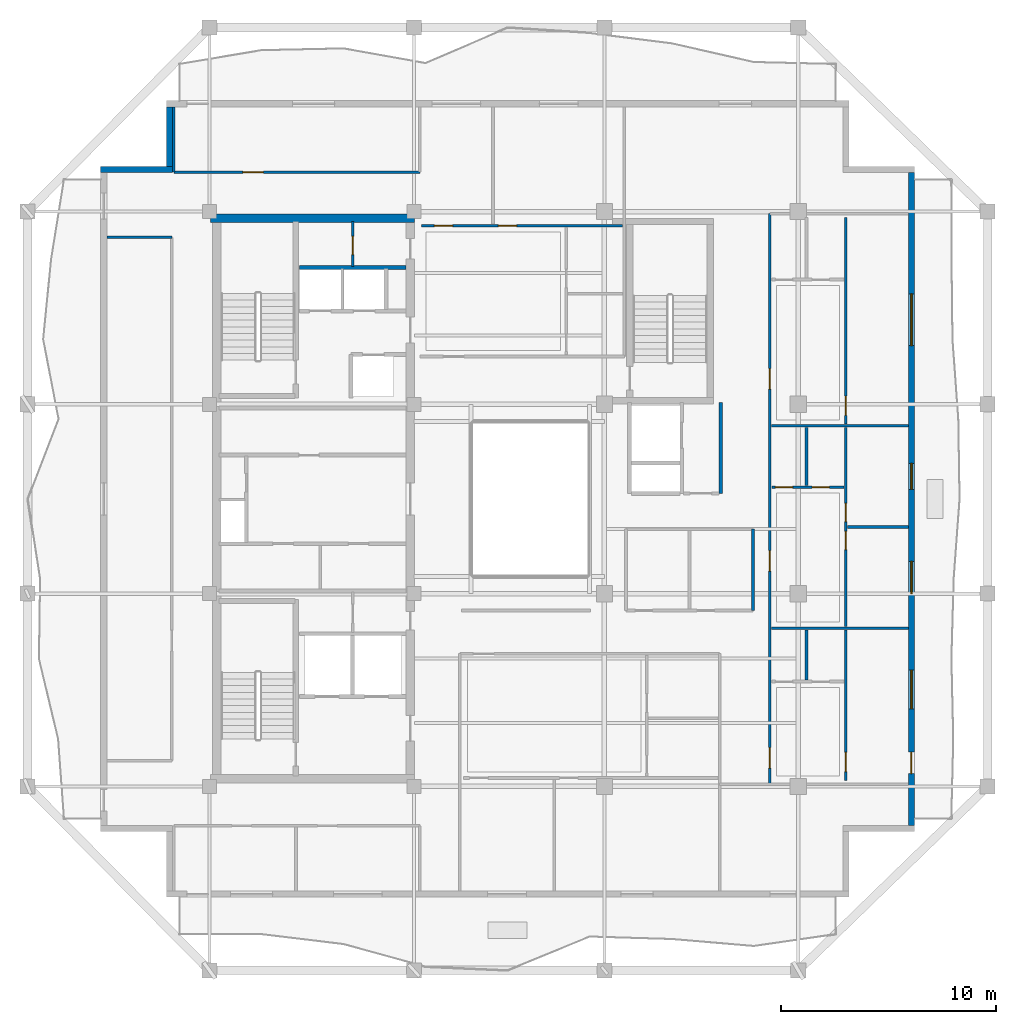
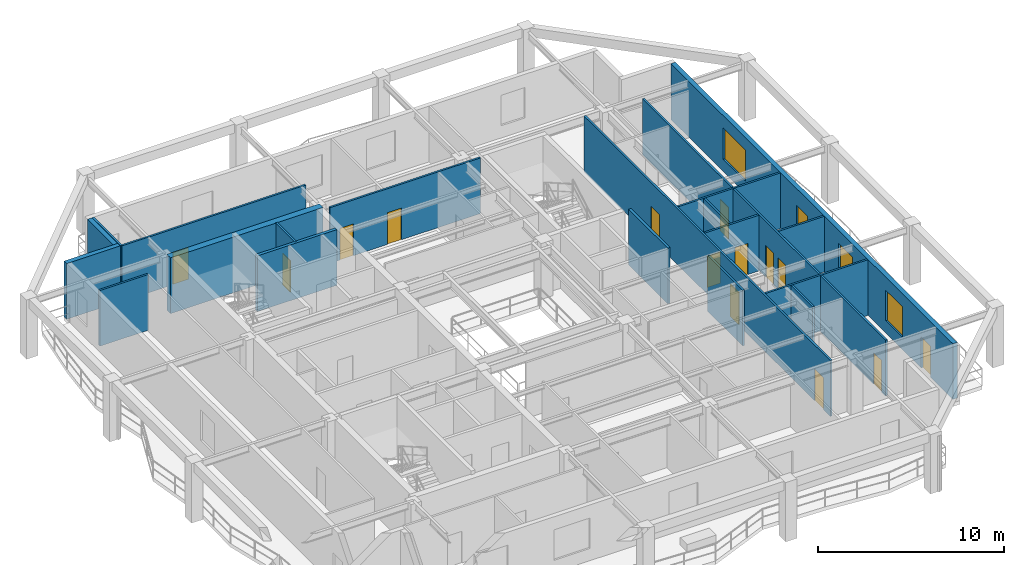
# One storey, part 5 of 10: 22 walls, 14 doors, 4 windows, 18 openings.
"""IFC4 building model written with IfcOpenShell, lengths in metres."""

from ifc_helpers import new_model, si_unit, direction, frame, frame_2d, origin, place, context, subcontext, project, spatial, rectangle, extrude, material, layer, layer_set, type_object, element, fill, save


model = new_model("IFC4")

# Units and contexts
model_context = context("Model", 3, precision=1e-05, world=origin(), true_north=direction((0.0, 1.0)))
body_context = subcontext(model_context, "Body", "Model", "MODEL_VIEW")
ifc_project = project(units=[si_unit("LENGTHUNIT", "METRE"), si_unit("AREAUNIT", "SQUARE_METRE"), si_unit("VOLUMEUNIT", "CUBIC_METRE"), si_unit("PLANEANGLEUNIT", "RADIAN"), si_unit("MASSUNIT", "GRAM", prefix="KILO")], contexts=[model_context])

# Site, building, storey
site_placement = place(None, origin())
site = spatial("IfcSite", under=ifc_project, at=site_placement, CompositionType="ELEMENT")
building_placement = place(site_placement, origin())
building = spatial("IfcBuilding", under=site, at=building_placement, Name="Kundavana Baori Tower", CompositionType="ELEMENT")
storey_placement = place(building_placement, frame((0.0, 0.0, 284.300048828125)))
storey = spatial("IfcBuildingStorey", under=building, at=storey_placement, Name="L70", CompositionType="ELEMENT", Elevation=284.300048828125)

# Wall
ifc_material_1 = material(Name="Concrete C50/60", Category="concrete")
ifc_layer_1 = layer(ifc_material_1, 0.39990234375, Name="WL-CORE-400")
ifc_layer_set_1 = layer_set([ifc_layer_1], Name="Concrete C50/60")
wall_type_1 = type_object("IfcWallType", Name="WL-CORE-400", PredefinedType="SHEAR", material=ifc_layer_set_1)
wall_1_placement = place(storey_placement, frame((15.5, 41.639892578125, 0.0), z_axis=(0.0, 0.0, 1.0), x_axis=(1.0, 0.0, 0.0)))
element("IfcWall", 1, at=wall_1_placement, inside=storey, type_object=wall_type_1, Name="L70 Offset Core North Shear Wall", PredefinedType="SHEAR", context=body_context, shape_type="SweptSolid", body=[
    extrude(rectangle(XDim=9.47998046875, YDim=0.39990234375, at=frame_2d((4.739990234375, 0.0))), origin(), (0.0, 0.0, 1.0), 3.659912109375),
])

# Wall, openings, door, windows
ifc_material_2 = material(Name="Red-Buff Dholpur Sandstone Cladding on Concrete C40/50", Category="masonry")
ifc_layer_2 = layer(ifc_material_2, 0.280029296875, Name="WL-EXT-SAND-280")
ifc_layer_set_2 = layer_set([ifc_layer_2], Name="Red-Buff Dholpur Sandstone Cladding on Concrete C40/50")
wall_type_2 = type_object("IfcWallType", Name="WL-EXT-SAND-280", PredefinedType="STANDARD", material=ifc_layer_set_2)
wall_2_placement = place(storey_placement, frame((48.06005859375, 13.429931640625, 0.0), z_axis=(0.0, 0.0, 1.0), x_axis=(0.0, 1.0, 0.0)))
wall_2 = element("IfcWall", 2, at=wall_2_placement, inside=storey, type_object=wall_type_2, Name="L70 Exterior Insulated Facade Wall 04", PredefinedType="STANDARD", context=body_context, shape_type="SweptSolid", body=[
    extrude(rectangle(XDim=30.340087890625, YDim=0.280029296875, at=frame_2d((15.169921875, 0.0))), origin(), (0.0, 0.0, 1.0), 3.659912109375),
])
opening_1_placement = place(wall_2_placement, frame((2.409912109375, 0.0, 0.0)))
opening_1 = element("IfcOpeningElement", 3, at=opening_1_placement, cuts=wall_2, Name="Opening BD-1", PredefinedType="OPENING", context=body_context, shape_type="SweptSolid", body=[
    extrude(rectangle(XDim=1.0, YDim=2.050048828125, at=frame_2d((0.5, 1.02490234375))), frame((0.0, 0.14990234375, 0.0), z_axis=(0.0, -1.0, 0.0), x_axis=(1.0, 0.0, 0.0)), (0.0, 0.0, 1.0), 0.300048828125),
])
opening_2_placement = place(wall_2_placement, frame((5.419921875, 0.0, 0.800048828125)))
opening_2 = element("IfcOpeningElement", 4, at=opening_2_placement, cuts=wall_2, Name="Opening W-01", PredefinedType="OPENING", context=body_context, shape_type="SweptSolid", body=[
    extrude(rectangle(XDim=1.800048828125, YDim=2.0, at=frame_2d((0.89990234375, 1.0))), frame((0.0, 0.14990234375, 0.0), z_axis=(0.0, -1.0, 0.0), x_axis=(1.0, 0.0, 0.0)), (0.0, 0.0, 1.0), 0.300048828125),
])
opening_3_placement = place(wall_2_placement, frame((10.77001953125, 0.0, 0.800048828125)))
opening_3 = element("IfcOpeningElement", 5, at=opening_3_placement, cuts=wall_2, Name="Opening W-02", PredefinedType="OPENING", context=body_context, shape_type="SweptSolid", body=[
    extrude(rectangle(XDim=1.5, YDim=2.0, at=frame_2d((0.75, 1.0))), frame((0.0, 0.14990234375, 0.0), z_axis=(0.0, -1.0, 0.0), x_axis=(1.0, 0.0, 0.0)), (0.0, 0.0, 1.0), 0.300048828125),
])
opening_4_placement = place(wall_2_placement, frame((15.6201171875, 0.0, 0.800048828125)))
opening_4 = element("IfcOpeningElement", 6, at=opening_4_placement, cuts=wall_2, Name="Opening W-03", PredefinedType="OPENING", context=body_context, shape_type="SweptSolid", body=[
    extrude(rectangle(XDim=1.199951171875, YDim=1.75, at=frame_2d((0.60009765625, 0.875))), frame((0.0, 0.14990234375, 0.0), z_axis=(0.0, -1.0, 0.0), x_axis=(1.0, 0.0, 0.0)), (0.0, 0.0, 1.0), 0.300048828125),
])
opening_5_placement = place(wall_2_placement, frame((22.294921875, 0.0, 0.800048828125)))
opening_5 = element("IfcOpeningElement", 7, at=opening_5_placement, cuts=wall_2, Name="Opening W-04", PredefinedType="OPENING", context=body_context, shape_type="SweptSolid", body=[
    extrude(rectangle(XDim=2.39990234375, YDim=2.050048828125, at=frame_2d((1.199951171875, 1.02490234375))), frame((0.0, 0.14990234375, 0.0), z_axis=(0.0, -1.0, 0.0), x_axis=(1.0, 0.0, 0.0)), (0.0, 0.0, 1.0), 0.300048828125),
])
ifc_material_3 = material(Name="Architectural Patinated Bronze Metalwork")
door_type_1 = type_object("IfcDoorType", Name="DR-EXT-LOG-1000", OperationType="NOTDEFINED", PredefinedType="DOOR", material=ifc_material_3)
door_1_placement = place(opening_1_placement, frame((1.0, 0.0, 0.0), z_axis=(0.0, 0.0, 1.0), x_axis=(-1.0, 0.0, 0.0)))
door_1 = element("IfcDoor", 8, at=door_1_placement, inside=storey, type_object=door_type_1, Name="L70 Loggia Balcony Access Door E", OperationType="SINGLE_SWING_RIGHT", OverallHeight=2.050048828125, OverallWidth=1.0, PredefinedType="DOOR", context=body_context, shape_type="SweptSolid", body=[
    extrude(rectangle(XDim=1.0, YDim=2.050048828125, at=frame_2d((0.5, 1.02490234375))), frame((0.0, 0.02490234375, 0.0), z_axis=(0.0, -1.0, 0.0), x_axis=(1.0, 0.0, 0.0)), (0.0, 0.0, 1.0), 0.050048828125),
])
fill(opening_1, door_1)
ifc_material_4 = material(Name="Double-Glazed Solar-Control Low-E Insulated Glass", Category="glass")
window_type_1 = type_object("IfcWindowType", Name="WIN-LOG-1200x1750", PartitioningType="SINGLE_PANEL", PredefinedType="WINDOW", material=ifc_material_4)
window_1_placement = place(opening_4_placement, origin())
window_1 = element("IfcWindow", 9, at=window_1_placement, inside=storey, type_object=window_type_1, Name="L70 Recessed Loggia Window E-3", OverallHeight=1.75, OverallWidth=1.199951171875, PartitioningType="SINGLE_PANEL", PredefinedType="WINDOW", context=body_context, shape_type="SweptSolid", body=[
    extrude(rectangle(XDim=1.199951171875, YDim=1.75, at=frame_2d((0.60009765625, 0.875))), frame((0.0, 0.030029296875, 0.0), z_axis=(0.0, -1.0, 0.0), x_axis=(1.0, 0.0, 0.0)), (0.0, 0.0, 1.0), 0.06005859375),
])
fill(opening_4, window_1)
ifc_material_5 = material(Name="Double-Glazed Solar-Control Low-E Insulated Glass", Category="glass")
window_type_2 = type_object("IfcWindowType", Name="WIN-LOG-1500x2000", PartitioningType="SINGLE_PANEL", PredefinedType="WINDOW", material=ifc_material_5)
window_2_placement = place(opening_3_placement, origin())
window_2 = element("IfcWindow", 10, at=window_2_placement, inside=storey, type_object=window_type_2, Name="L70 Recessed Loggia Window E-2", OverallHeight=2.0, OverallWidth=1.5, PartitioningType="SINGLE_PANEL", PredefinedType="WINDOW", context=body_context, shape_type="SweptSolid", body=[
    extrude(rectangle(XDim=1.5, YDim=2.0, at=frame_2d((0.75, 1.0))), frame((0.0, 0.030029296875, 0.0), z_axis=(0.0, -1.0, 0.0), x_axis=(1.0, 0.0, 0.0)), (0.0, 0.0, 1.0), 0.06005859375),
])
fill(opening_3, window_2)
ifc_material_6 = material(Name="Double-Glazed Solar-Control Low-E Insulated Glass", Category="glass")
window_type_3 = type_object("IfcWindowType", Name="WIN-LOG-1800x2000", PartitioningType="SINGLE_PANEL", PredefinedType="WINDOW", material=ifc_material_6)
window_3_placement = place(opening_2_placement, origin())
window_3 = element("IfcWindow", 11, at=window_3_placement, inside=storey, type_object=window_type_3, Name="L70 Recessed Loggia Window E-1", OverallHeight=2.0, OverallWidth=1.800048828125, PartitioningType="SINGLE_PANEL", PredefinedType="WINDOW", context=body_context, shape_type="SweptSolid", body=[
    extrude(rectangle(XDim=1.800048828125, YDim=2.0, at=frame_2d((0.89990234375, 1.0))), frame((0.0, 0.030029296875, 0.0), z_axis=(0.0, -1.0, 0.0), x_axis=(1.0, 0.0, 0.0)), (0.0, 0.0, 1.0), 0.06005859375),
])
fill(opening_2, window_3)
ifc_material_7 = material(Name="Double-Glazed Solar-Control Low-E Insulated Glass", Category="glass")
window_type_4 = type_object("IfcWindowType", Name="WIN-LOG-2400x2050", PartitioningType="SINGLE_PANEL", PredefinedType="WINDOW", material=ifc_material_7)
window_4_placement = place(opening_5_placement, origin())
window_4 = element("IfcWindow", 12, at=window_4_placement, inside=storey, type_object=window_type_4, Name="L70 Recessed Loggia Window E-4", OverallHeight=2.050048828125, OverallWidth=2.39990234375, PartitioningType="SINGLE_PANEL", PredefinedType="WINDOW", context=body_context, shape_type="SweptSolid", body=[
    extrude(rectangle(XDim=2.39990234375, YDim=2.050048828125, at=frame_2d((1.199951171875, 1.02490234375))), frame((0.0, 0.030029296875, 0.0), z_axis=(0.0, -1.0, 0.0), x_axis=(1.0, 0.0, 0.0)), (0.0, 0.0, 1.0), 0.06005859375),
])
fill(opening_5, window_4)

# Walls
wall_3_placement = place(storey_placement, frame((13.590087890625, 46.820068359375, 0.0), z_axis=(0.0, 0.0, 1.0), x_axis=(0.0, -1.0, 0.0)))
element("IfcWall", 13, at=wall_3_placement, inside=storey, type_object=wall_type_2, Name="L70 Exterior Insulated Facade Wall 08", PredefinedType="STANDARD", context=body_context, shape_type="SweptSolid", body=[
    extrude(rectangle(XDim=2.77001953125, YDim=0.280029296875, at=frame_2d((1.385009765625, 0.0))), origin(), (0.0, 0.0, 1.0), 3.659912109375),
])
wall_4_placement = place(storey_placement, frame((13.72998046875, 43.909912109375, 0.0), z_axis=(0.0, 0.0, 1.0), x_axis=(-1.0, 0.0, 0.0)))
element("IfcWall", 14, at=wall_4_placement, inside=storey, type_object=wall_type_2, Name="L70 Exterior Insulated Facade Wall 09", PredefinedType="STANDARD", context=body_context, shape_type="SweptSolid", body=[
    extrude(rectangle(XDim=3.330078125, YDim=0.280029296875, at=frame_2d((1.6650390625, 0.0))), origin(), (0.0, 0.0, 1.0), 3.659912109375),
])

# Wall, opening, door
ifc_material_8 = material(Name="Acoustic Gypsum Plasterboard on Galvanised Steel Studs", Category="steel")
ifc_layer_3 = layer(ifc_material_8, 0.1201171875, Name="WL-PART-120")
ifc_layer_set_3 = layer_set([ifc_layer_3], Name="Acoustic Gypsum Plasterboard on Galvanised Steel Studs")
wall_type_3 = type_object("IfcWallType", Name="WL-PART-120", PredefinedType="PARTITIONING", material=ifc_layer_set_3)
wall_5_placement = place(storey_placement, frame((22.10009765625, 39.39990234375, 0.0), z_axis=(0.0, 0.0, 1.0), x_axis=(0.0, 1.0, 0.0)))
wall_5 = element("IfcWall", 15, at=wall_5_placement, inside=storey, type_object=wall_type_3, Name="WL-L70-CSRV-D1", PredefinedType="PARTITIONING", context=body_context, shape_type="SweptSolid", body=[
    extrude(rectangle(XDim=2.080078125, YDim=0.1201171875, at=frame_2d((1.0400390625, 0.0))), origin(), (0.0, 0.0, 1.0), 3.659912109375),
])
opening_6_placement = place(wall_5_placement, frame((0.550048828125, 0.0, 0.0)))
opening_6 = element("IfcOpeningElement", 16, at=opening_6_placement, cuts=wall_5, Name="Opening FD-085", PredefinedType="OPENING", context=body_context, shape_type="SweptSolid", body=[
    extrude(rectangle(XDim=0.85009765625, YDim=2.06005859375, at=frame_2d((0.425048828125, 1.030029296875))), frame((0.0, 0.070068359375, 0.0), z_axis=(0.0, -1.0, 0.0), x_axis=(1.0, 0.0, 0.0)), (0.0, 0.0, 1.0), 0.14013671875),
])
ifc_material_9 = material(Name="Galvanised Steel Fire-Rated Door Leaf", Category="steel")
door_type_2 = type_object("IfcDoorType", Name="DR-FD60-850", OperationType="NOTDEFINED", PredefinedType="DOOR", material=ifc_material_9)
door_2_placement = place(opening_6_placement, origin())
door_2 = element("IfcDoor", 17, at=door_2_placement, inside=storey, type_object=door_type_2, Name="DR-L70-CSRV1", OperationType="SINGLE_SWING_LEFT", OverallHeight=2.06005859375, OverallWidth=0.85009765625, PredefinedType="DOOR", context=body_context, shape_type="SweptSolid", body=[
    extrude(rectangle(XDim=0.85009765625, YDim=2.06005859375, at=frame_2d((0.425048828125, 1.030029296875))), frame((0.0, 0.02490234375, 0.0), z_axis=(0.0, -1.0, 0.0), x_axis=(1.0, 0.0, 0.0)), (0.0, 0.0, 1.0), 0.050048828125),
])
fill(opening_6, door_2)

wall_6_placement = place(storey_placement, frame((13.800048828125, 43.780029296875, 0.0), z_axis=(0.0, 0.0, 1.0), x_axis=(1.0, 0.0, 0.0)))
wall_6 = element("IfcWall", 18, at=wall_6_placement, inside=storey, type_object=wall_type_3, Name="WL-L70-RNC", PredefinedType="PARTITIONING", context=body_context, shape_type="SweptSolid", body=[
    extrude(rectangle(XDim=11.419921875, YDim=0.1201171875, at=frame_2d((5.7099609375, 0.0))), origin(), (0.0, 0.0, 1.0), 3.659912109375),
])
opening_7_placement = place(wall_6_placement, frame((3.199951171875, 0.0, 0.0)))
opening_7 = element("IfcOpeningElement", 19, at=opening_7_placement, cuts=wall_6, Name="Opening ID-095", PredefinedType="OPENING", context=body_context, shape_type="SweptSolid", body=[
    extrude(rectangle(XDim=0.949951171875, YDim=2.080078125, at=frame_2d((0.47509765625, 1.0400390625))), frame((0.0, 0.070068359375, 0.0), z_axis=(0.0, -1.0, 0.0), x_axis=(1.0, 0.0, 0.0)), (0.0, 0.0, 1.0), 0.14013671875),
])
ifc_material_10 = material(Name="Engineered Teak Solid-Core Timber Veneer", Category="wood")
door_type_3 = type_object("IfcDoorType", Name="DR-INT-950", OperationType="NOTDEFINED", PredefinedType="DOOR", material=ifc_material_10)
door_3_placement = place(opening_7_placement, origin())
door_3 = element("IfcDoor", 20, at=door_3_placement, inside=storey, type_object=door_type_3, Name="DR-L70-RMNW", OperationType="SINGLE_SWING_RIGHT", OverallHeight=2.080078125, OverallWidth=0.949951171875, PredefinedType="DOOR", context=body_context, shape_type="SweptSolid", body=[
    extrude(rectangle(XDim=0.949951171875, YDim=2.080078125, at=frame_2d((0.47509765625, 1.0400390625))), frame((0.0, 0.02490234375, 0.0), z_axis=(0.0, -1.0, 0.0), x_axis=(1.0, 0.0, 0.0)), (0.0, 0.0, 1.0), 0.050048828125),
])
fill(opening_7, door_3)

# Walls
wall_7_placement = place(storey_placement, frame((13.800048828125, 43.780029296875, 0.0), z_axis=(0.0, 0.0, 1.0), x_axis=(0.0, 1.0, 0.0)))
element("IfcWall", 21, at=wall_7_placement, inside=storey, type_object=wall_type_3, Name="WL-L70-RNCW", PredefinedType="PARTITIONING", context=body_context, shape_type="SweptSolid", body=[
    extrude(rectangle(XDim=3.0400390625, YDim=0.1201171875, at=frame_2d((1.52001953125, 0.0))), origin(), (0.0, 0.0, 1.0), 3.659912109375),
])
wall_8_placement = place(storey_placement, frame((10.679931640625, 40.75, 0.0), z_axis=(0.0, 0.0, 1.0), x_axis=(1.0, 0.0, 0.0)))
element("IfcWall", 22, at=wall_8_placement, inside=storey, type_object=wall_type_3, Name="WL-L70-RWN", PredefinedType="PARTITIONING", context=body_context, shape_type="SweptSolid", body=[
    extrude(rectangle(XDim=3.02001953125, YDim=0.1201171875, at=frame_2d((1.510009765625, 0.0))), origin(), (0.0, 0.0, 1.0), 3.659912109375),
])

# Wall, openings, doors
wall_9_placement = place(storey_placement, frame((25.300048828125, 41.2900390625, 0.0), z_axis=(0.0, 0.0, 1.0), x_axis=(1.0, 0.0, 0.0)))
wall_9 = element("IfcWall", 23, at=wall_9_placement, inside=storey, type_object=wall_type_3, Name="WL-L70-N1-HZ", PredefinedType="PARTITIONING", context=body_context, shape_type="SweptSolid", body=[
    extrude(rectangle(XDim=9.33984375, YDim=0.1201171875, at=frame_2d((4.669921875, 0.0))), origin(), (0.0, 0.0, 1.0), 3.659912109375),
])
opening_8_placement = place(wall_9_placement, frame((0.60009765625, 0.0, 0.0)))
opening_8 = element("IfcOpeningElement", 24, at=opening_8_placement, cuts=wall_9, Name="Opening ID-085", PredefinedType="OPENING", context=body_context, shape_type="SweptSolid", body=[
    extrude(rectangle(XDim=0.85009765625, YDim=2.080078125, at=frame_2d((0.425048828125, 1.0400390625))), frame((0.0, 0.070068359375, 0.0), z_axis=(0.0, -1.0, 0.0), x_axis=(1.0, 0.0, 0.0)), (0.0, 0.0, 1.0), 0.14013671875),
])
opening_9_placement = place(wall_9_placement, frame((3.572998046875, 0.0, 0.0)))
opening_9 = element("IfcOpeningElement", 25, at=opening_9_placement, cuts=wall_9, Name="Opening ID-085", PredefinedType="OPENING", context=body_context, shape_type="SweptSolid", body=[
    extrude(rectangle(XDim=0.85009765625, YDim=2.080078125, at=frame_2d((0.425048828125, 1.0400390625))), frame((0.0, 0.070068359375, 0.0), z_axis=(0.0, -1.0, 0.0), x_axis=(1.0, 0.0, 0.0)), (0.0, 0.0, 1.0), 0.14013671875),
])
ifc_material_11 = material(Name="Engineered Teak Solid-Core Timber Veneer", Category="wood")
door_type_4 = type_object("IfcDoorType", Name="DR-INT-850", OperationType="NOTDEFINED", PredefinedType="DOOR", material=ifc_material_11)
door_4_placement = place(opening_8_placement, origin())
door_4 = element("IfcDoor", 26, at=door_4_placement, inside=storey, type_object=door_type_4, Name="DR-L70-N1-B1", OperationType="SINGLE_SWING_LEFT", OverallHeight=2.080078125, OverallWidth=0.85009765625, PredefinedType="DOOR", context=body_context, shape_type="SweptSolid", body=[
    extrude(rectangle(XDim=0.85009765625, YDim=2.080078125, at=frame_2d((0.425048828125, 1.0400390625))), frame((0.0, 0.02490234375, 0.0), z_axis=(0.0, -1.0, 0.0), x_axis=(1.0, 0.0, 0.0)), (0.0, 0.0, 1.0), 0.050048828125),
])
fill(opening_8, door_4)
door_5_placement = place(opening_9_placement, origin())
door_5 = element("IfcDoor", 27, at=door_5_placement, inside=storey, type_object=door_type_4, Name="DR-L70-N1-B2", OperationType="SINGLE_SWING_RIGHT", OverallHeight=2.080078125, OverallWidth=0.85009765625, PredefinedType="DOOR", context=body_context, shape_type="SweptSolid", body=[
    extrude(rectangle(XDim=0.85009765625, YDim=2.080078125, at=frame_2d((0.425048828125, 1.0400390625))), frame((0.0, 0.02490234375, 0.0), z_axis=(0.0, -1.0, 0.0), x_axis=(1.0, 0.0, 0.0)), (0.0, 0.0, 1.0), 0.050048828125),
])
fill(opening_9, door_5)

wall_10_placement = place(storey_placement, frame((41.47998046875, 15.35009765625, 0.0), z_axis=(0.0, 0.0, 1.0), x_axis=(0.0, 1.0, 0.0)))
wall_10 = element("IfcWall", 28, at=wall_10_placement, inside=storey, type_object=wall_type_3, Name="WL-L70-RE", PredefinedType="PARTITIONING", context=body_context, shape_type="SweptSolid", body=[
    extrude(rectangle(XDim=26.5, YDim=0.1201171875, at=frame_2d((13.25, 0.0))), origin(), (0.0, 0.0, 1.0), 3.659912109375),
])
opening_10_placement = place(wall_10_placement, frame((0.75, 0.0, 0.0)))
opening_10 = element("IfcOpeningElement", 29, at=opening_10_placement, cuts=wall_10, Name="Opening FD-095", PredefinedType="OPENING", context=body_context, shape_type="SweptSolid", body=[
    extrude(rectangle(XDim=0.949951171875, YDim=2.10009765625, at=frame_2d((0.47509765625, 1.050048828125))), frame((0.0, 0.070068359375, 0.0), z_axis=(0.0, -1.0, 0.0), x_axis=(1.0, 0.0, 0.0)), (0.0, 0.0, 1.0), 0.14013671875),
])
opening_11_placement = place(wall_10_placement, frame((9.89990234375, 0.0, 0.0)))
opening_11 = element("IfcOpeningElement", 30, at=opening_11_placement, cuts=wall_10, Name="Opening FD-095", PredefinedType="OPENING", context=body_context, shape_type="SweptSolid", body=[
    extrude(rectangle(XDim=0.949951171875, YDim=2.10009765625, at=frame_2d((0.47509765625, 1.050048828125))), frame((0.0, 0.070068359375, 0.0), z_axis=(0.0, -1.0, 0.0), x_axis=(1.0, 0.0, 0.0)), (0.0, 0.0, 1.0), 0.14013671875),
])
opening_12_placement = place(wall_10_placement, frame((18.35009765625, 0.0, 0.0)))
opening_12 = element("IfcOpeningElement", 31, at=opening_12_placement, cuts=wall_10, Name="Opening FD-095", PredefinedType="OPENING", context=body_context, shape_type="SweptSolid", body=[
    extrude(rectangle(XDim=0.949951171875, YDim=2.10009765625, at=frame_2d((0.47509765625, 1.050048828125))), frame((0.0, 0.070068359375, 0.0), z_axis=(0.0, -1.0, 0.0), x_axis=(1.0, 0.0, 0.0)), (0.0, 0.0, 1.0), 0.14013671875),
])
ifc_material_12 = material(Name="Engineered Teak Fire-Rated Timber Door Leaf", Category="wood")
door_type_5 = type_object("IfcDoorType", Name="DR-FD60-950", OperationType="NOTDEFINED", PredefinedType="DOOR", material=ifc_material_12)
door_6_placement = place(opening_10_placement, origin())
door_6 = element("IfcDoor", 32, at=door_6_placement, inside=storey, type_object=door_type_5, Name="DR-L70-E1-ENT", OperationType="SINGLE_SWING_LEFT", OverallHeight=2.10009765625, OverallWidth=0.949951171875, PredefinedType="DOOR", context=body_context, shape_type="SweptSolid", body=[
    extrude(rectangle(XDim=0.949951171875, YDim=2.10009765625, at=frame_2d((0.47509765625, 1.050048828125))), frame((0.0, 0.02490234375, 0.0), z_axis=(0.0, -1.0, 0.0), x_axis=(1.0, 0.0, 0.0)), (0.0, 0.0, 1.0), 0.050048828125),
])
fill(opening_10, door_6)
door_7_placement = place(opening_11_placement, origin())
door_7 = element("IfcDoor", 33, at=door_7_placement, inside=storey, type_object=door_type_5, Name="DR-L70-E2-ENT", OperationType="SINGLE_SWING_LEFT", OverallHeight=2.10009765625, OverallWidth=0.949951171875, PredefinedType="DOOR", context=body_context, shape_type="SweptSolid", body=[
    extrude(rectangle(XDim=0.949951171875, YDim=2.10009765625, at=frame_2d((0.47509765625, 1.050048828125))), frame((0.0, 0.02490234375, 0.0), z_axis=(0.0, -1.0, 0.0), x_axis=(1.0, 0.0, 0.0)), (0.0, 0.0, 1.0), 0.050048828125),
])
fill(opening_11, door_7)
door_8_placement = place(opening_12_placement, origin())
door_8 = element("IfcDoor", 34, at=door_8_placement, inside=storey, type_object=door_type_5, Name="DR-L70-E3-ENT", OperationType="SINGLE_SWING_LEFT", OverallHeight=2.10009765625, OverallWidth=0.949951171875, PredefinedType="DOOR", context=body_context, shape_type="SweptSolid", body=[
    extrude(rectangle(XDim=0.949951171875, YDim=2.10009765625, at=frame_2d((0.47509765625, 1.050048828125))), frame((0.0, 0.02490234375, 0.0), z_axis=(0.0, -1.0, 0.0), x_axis=(1.0, 0.0, 0.0)), (0.0, 0.0, 1.0), 0.050048828125),
])
fill(opening_12, door_8)

# Wall, opening, door
wall_11_placement = place(storey_placement, frame((45.00390625, 15.530029296875, 0.0), z_axis=(0.0, 0.0, 1.0), x_axis=(0.0, 1.0, 0.0)))
wall_11 = element("IfcWall", 35, at=wall_11_placement, inside=storey, type_object=wall_type_3, Name="WL-L70-E1-VT", PredefinedType="PARTITIONING", context=body_context, shape_type="SweptSolid", body=[
    extrude(rectangle(XDim=6.989990234375, YDim=0.1201171875, at=frame_2d((3.4951171875, 0.0))), origin(), (0.0, 0.0, 1.0), 3.659912109375),
])
opening_13_placement = place(wall_11_placement, frame((0.39990234375, 0.0, 0.0)))
opening_13 = element("IfcOpeningElement", 36, at=opening_13_placement, cuts=wall_11, Name="Opening ID-090", PredefinedType="OPENING", context=body_context, shape_type="SweptSolid", body=[
    extrude(rectangle(XDim=0.89990234375, YDim=2.080078125, at=frame_2d((0.449951171875, 1.0400390625))), frame((0.0, 0.070068359375, 0.0), z_axis=(0.0, -1.0, 0.0), x_axis=(1.0, 0.0, 0.0)), (0.0, 0.0, 1.0), 0.14013671875),
])
ifc_material_13 = material(Name="Engineered Teak Solid-Core Timber Veneer", Category="wood")
door_type_6 = type_object("IfcDoorType", Name="DR-INT-900", OperationType="NOTDEFINED", PredefinedType="DOOR", material=ifc_material_13)
door_9_placement = place(opening_13_placement, origin())
door_9 = element("IfcDoor", 37, at=door_9_placement, inside=storey, type_object=door_type_6, Name="DR-L70-E1-B1", OperationType="SINGLE_SWING_LEFT", OverallHeight=2.080078125, OverallWidth=0.89990234375, PredefinedType="DOOR", context=body_context, shape_type="SweptSolid", body=[
    extrude(rectangle(XDim=0.89990234375, YDim=2.080078125, at=frame_2d((0.449951171875, 1.0400390625))), frame((0.0, 0.02490234375, 0.0), z_axis=(0.0, -1.0, 0.0), x_axis=(1.0, 0.0, 0.0)), (0.0, 0.0, 1.0), 0.050048828125),
])
fill(opening_13, door_9)

# Wall
wall_12_placement = place(storey_placement, frame((41.56005859375, 22.60009765625, 0.0), z_axis=(0.0, 0.0, 1.0), x_axis=(1.0, 0.0, 0.0)))
element("IfcWall", 38, at=wall_12_placement, inside=storey, type_object=wall_type_3, Name="WL-L70-RED1", PredefinedType="PARTITIONING", context=body_context, shape_type="SweptSolid", body=[
    extrude(rectangle(XDim=6.35986328125, YDim=0.1201171875, at=frame_2d((3.179931640625, 0.0))), origin(), (0.0, 0.0, 1.0), 3.659912109375),
])

# Wall, openings, doors
wall_13_placement = place(storey_placement, frame((45.00390625, 22.679931640625, 0.0), z_axis=(0.0, 0.0, 1.0), x_axis=(0.0, 1.0, 0.0)))
wall_13 = element("IfcWall", 39, at=wall_13_placement, inside=storey, type_object=wall_type_3, Name="WL-L70-E2-VT", PredefinedType="PARTITIONING", context=body_context, shape_type="SweptSolid", body=[
    extrude(rectangle(XDim=9.239990234375, YDim=0.1201171875, at=frame_2d((4.6201171875, 0.0))), origin(), (0.0, 0.0, 1.0), 3.659912109375),
])
opening_14_placement = place(wall_13_placement, frame((3.570068359375, 0.0, 0.0)))
opening_14 = element("IfcOpeningElement", 40, at=opening_14_placement, cuts=wall_13, Name="Opening ID-085", PredefinedType="OPENING", context=body_context, shape_type="SweptSolid", body=[
    extrude(rectangle(XDim=0.85009765625, YDim=2.080078125, at=frame_2d((0.425048828125, 1.0400390625))), frame((0.0, 0.070068359375, 0.0), z_axis=(0.0, -1.0, 0.0), x_axis=(1.0, 0.0, 0.0)), (0.0, 0.0, 1.0), 0.14013671875),
])
opening_15_placement = place(wall_13_placement, frame((4.8701171875, 0.0, 0.0)))
opening_15 = element("IfcOpeningElement", 41, at=opening_15_placement, cuts=wall_13, Name="Opening ID-085", PredefinedType="OPENING", context=body_context, shape_type="SweptSolid", body=[
    extrude(rectangle(XDim=0.85009765625, YDim=2.080078125, at=frame_2d((0.425048828125, 1.0400390625))), frame((0.0, 0.070068359375, 0.0), z_axis=(0.0, -1.0, 0.0), x_axis=(1.0, 0.0, 0.0)), (0.0, 0.0, 1.0), 0.14013671875),
])
door_10_placement = place(opening_14_placement, origin())
door_10 = element("IfcDoor", 42, at=door_10_placement, inside=storey, type_object=door_type_4, Name="DR-L70-E2-B1", OperationType="SINGLE_SWING_LEFT", OverallHeight=2.080078125, OverallWidth=0.85009765625, PredefinedType="DOOR", context=body_context, shape_type="SweptSolid", body=[
    extrude(rectangle(XDim=0.85009765625, YDim=2.080078125, at=frame_2d((0.425048828125, 1.0400390625))), frame((0.0, 0.02490234375, 0.0), z_axis=(0.0, -1.0, 0.0), x_axis=(1.0, 0.0, 0.0)), (0.0, 0.0, 1.0), 0.050048828125),
])
fill(opening_14, door_10)
door_11_placement = place(opening_15_placement, origin())
door_11 = element("IfcDoor", 43, at=door_11_placement, inside=storey, type_object=door_type_4, Name="DR-L70-E2-B2", OperationType="SINGLE_SWING_RIGHT", OverallHeight=2.080078125, OverallWidth=0.85009765625, PredefinedType="DOOR", context=body_context, shape_type="SweptSolid", body=[
    extrude(rectangle(XDim=0.85009765625, YDim=2.080078125, at=frame_2d((0.425048828125, 1.0400390625))), frame((0.0, 0.02490234375, 0.0), z_axis=(0.0, -1.0, 0.0), x_axis=(1.0, 0.0, 0.0)), (0.0, 0.0, 1.0), 0.050048828125),
])
fill(opening_15, door_11)

# Walls
wall_14_placement = place(storey_placement, frame((45.083984375, 27.300048828125, 0.0), z_axis=(0.0, 0.0, 1.0), x_axis=(1.0, 0.0, 0.0)))
element("IfcWall", 44, at=wall_14_placement, inside=storey, type_object=wall_type_3, Name="WL-L70-E2-BDH", PredefinedType="PARTITIONING", context=body_context, shape_type="SweptSolid", body=[
    extrude(rectangle(XDim=2.8359375, YDim=0.1201171875, at=frame_2d((1.41796875, 0.0))), origin(), (0.0, 0.0, 1.0), 3.659912109375),
])
wall_15_placement = place(storey_placement, frame((41.56005859375, 32.0, 0.0), z_axis=(0.0, 0.0, 1.0), x_axis=(1.0, 0.0, 0.0)))
element("IfcWall", 45, at=wall_15_placement, inside=storey, type_object=wall_type_3, Name="WL-L70-RED2", PredefinedType="PARTITIONING", context=body_context, shape_type="SweptSolid", body=[
    extrude(rectangle(XDim=6.35986328125, YDim=0.1201171875, at=frame_2d((3.179931640625, 0.0))), origin(), (0.0, 0.0, 1.0), 3.659912109375),
])

# Wall, opening, door
wall_16_placement = place(storey_placement, frame((45.00390625, 32.080078125, 0.0), z_axis=(0.0, 0.0, 1.0), x_axis=(0.0, 1.0, 0.0)))
wall_16 = element("IfcWall", 46, at=wall_16_placement, inside=storey, type_object=wall_type_3, Name="WL-L70-E3-VT", PredefinedType="PARTITIONING", context=body_context, shape_type="SweptSolid", body=[
    extrude(rectangle(XDim=9.58984375, YDim=0.1201171875, at=frame_2d((4.794921875, 0.0))), origin(), (0.0, 0.0, 1.0), 3.659912109375),
])
opening_16_placement = place(wall_16_placement, frame((0.39990234375, 0.0, 0.0)))
opening_16 = element("IfcOpeningElement", 47, at=opening_16_placement, cuts=wall_16, Name="Opening ID-090", PredefinedType="OPENING", context=body_context, shape_type="SweptSolid", body=[
    extrude(rectangle(XDim=0.89990234375, YDim=2.080078125, at=frame_2d((0.449951171875, 1.0400390625))), frame((0.0, 0.070068359375, 0.0), z_axis=(0.0, -1.0, 0.0), x_axis=(1.0, 0.0, 0.0)), (0.0, 0.0, 1.0), 0.14013671875),
])
door_12_placement = place(opening_16_placement, origin())
door_12 = element("IfcDoor", 48, at=door_12_placement, inside=storey, type_object=door_type_6, Name="DR-L70-E3-B1", OperationType="SINGLE_SWING_LEFT", OverallHeight=2.080078125, OverallWidth=0.89990234375, PredefinedType="DOOR", context=body_context, shape_type="SweptSolid", body=[
    extrude(rectangle(XDim=0.89990234375, YDim=2.080078125, at=frame_2d((0.449951171875, 1.0400390625))), frame((0.0, 0.02490234375, 0.0), z_axis=(0.0, -1.0, 0.0), x_axis=(1.0, 0.0, 0.0)), (0.0, 0.0, 1.0), 0.050048828125),
])
fill(opening_16, door_12)

# Walls
wall_17_placement = place(storey_placement, frame((40.699951171875, 23.419921875, 0.0), z_axis=(0.0, 0.0, 1.0), x_axis=(0.0, 1.0, 0.0)))
element("IfcWall", 49, at=wall_17_placement, inside=storey, type_object=wall_type_3, Name="WL-L70-ALE", PredefinedType="PARTITIONING", context=body_context, shape_type="SweptSolid", body=[
    extrude(rectangle(XDim=3.780029296875, YDim=0.1201171875, at=frame_2d((1.89013671875, 0.0))), origin(), (0.0, 0.0, 1.0), 3.659912109375),
])
ifc_material_14 = material(Name="Fire-Rated Gypsum Drywall on Galvanised Steel Studs", Category="steel")
ifc_layer_4 = layer(ifc_material_14, 0.14990234375, Name="WL-PART-150")
ifc_layer_set_4 = layer_set([ifc_layer_4], Name="Fire-Rated Gypsum Drywall on Galvanised Steel Studs")
wall_type_4 = type_object("IfcWallType", Name="WL-PART-150", PredefinedType="PARTITIONING", material=ifc_layer_set_4)
wall_18_placement = place(storey_placement, frame((39.199951171875, 28.860107421875, 0.0), z_axis=(0.0, 0.0, 1.0), x_axis=(0.0, 1.0, 0.0)))
element("IfcWall", 50, at=wall_18_placement, inside=storey, type_object=wall_type_4, Name="WL-L70-SVLOB-E", PredefinedType="PARTITIONING", context=body_context, shape_type="SweptSolid", body=[
    extrude(rectangle(XDim=4.219970703125, YDim=0.14990234375, at=frame_2d((2.10986328125, 0.0))), origin(), (0.0, 0.0, 1.0), 3.659912109375),
])
ifc_material_15 = material(Name="Autoclaved Aerated Concrete Blockwork Masonry", Category="masonry")
ifc_layer_5 = layer(ifc_material_15, 0.179931640625, Name="WL-SHAFT-180")
ifc_layer_set_5 = layer_set([ifc_layer_5], Name="Autoclaved Aerated Concrete Blockwork Masonry")
wall_type_5 = type_object("IfcWallType", Name="WL-SHAFT-180", PredefinedType="SOLIDWALL", material=ifc_layer_set_5)
wall_19_placement = place(storey_placement, frame((19.639892578125, 39.360107421875, 0.0), z_axis=(0.0, 0.0, 1.0), x_axis=(1.0, 0.0, 0.0)))
element("IfcWall", 51, at=wall_19_placement, inside=storey, type_object=wall_type_5, Name="WL-L70-HRLOB-TOP", PredefinedType="SOLIDWALL", context=body_context, shape_type="SweptSolid", body=[
    extrude(rectangle(XDim=4.940185546875, YDim=0.179931640625, at=frame_2d((2.47021484375, 0.0))), origin(), (0.0, 0.0, 1.0), 3.659912109375),
])
ifc_material_16 = material(Name="Autoclaved Aerated Concrete Blockwork Masonry", Category="masonry")
ifc_layer_6 = layer(ifc_material_16, 0.125, Name="WL-WET-120")
ifc_layer_set_6 = layer_set([ifc_layer_6], Name="Autoclaved Aerated Concrete Blockwork Masonry")
wall_type_6 = type_object("IfcWallType", Name="WL-WET-120", PredefinedType="PLUMBINGWALL", material=ifc_layer_set_6)
wall_20_placement = place(storey_placement, frame((43.18505859375, 20.199951171875, 0.0), z_axis=(0.0, 0.0, 1.0), x_axis=(0.0, 1.0, 0.0)))
element("IfcWall", 52, at=wall_20_placement, inside=storey, type_object=wall_type_6, Name="WL-L70-E1-BV", PredefinedType="PLUMBINGWALL", context=body_context, shape_type="SweptSolid", body=[
    extrude(rectangle(XDim=2.320068359375, YDim=0.125, at=frame_2d((1.16015625, 0.0))), origin(), (0.0, 0.0, 1.0), 3.659912109375),
])

# Wall, openings, doors
wall_21_placement = place(storey_placement, frame((41.580078125, 29.14794921875, 0.0), z_axis=(0.0, 0.0, 1.0), x_axis=(1.0, 0.0, 0.0)))
wall_21 = element("IfcWall", 53, at=wall_21_placement, inside=storey, type_object=wall_type_6, Name="WL-L70-E2-KH", PredefinedType="PLUMBINGWALL", context=body_context, shape_type="SweptSolid", body=[
    extrude(rectangle(XDim=3.343994140625, YDim=0.125, at=frame_2d((1.671875, 0.0))), origin(), (0.0, 0.0, 1.0), 3.659912109375),
])
opening_17_placement = place(wall_21_placement, frame((0.159912109375, 0.0, 0.0)))
opening_17 = element("IfcOpeningElement", 54, at=opening_17_placement, cuts=wall_21, Name="Opening WD-080", PredefinedType="OPENING", context=body_context, shape_type="SweptSolid", body=[
    extrude(rectangle(XDim=0.800048828125, YDim=2.050048828125, at=frame_2d((0.39990234375, 1.02490234375))), frame((0.0, 0.072509765625, 0.0), z_axis=(0.0, -1.0, 0.0), x_axis=(1.0, 0.0, 0.0)), (0.0, 0.0, 1.0), 0.14501953125),
])
opening_18_placement = place(wall_21_placement, frame((1.864990234375, 0.0, 0.0)))
opening_18 = element("IfcOpeningElement", 55, at=opening_18_placement, cuts=wall_21, Name="Opening WD-080", PredefinedType="OPENING", context=body_context, shape_type="SweptSolid", body=[
    extrude(rectangle(XDim=0.800048828125, YDim=2.050048828125, at=frame_2d((0.39990234375, 1.02490234375))), frame((0.0, 0.072509765625, 0.0), z_axis=(0.0, -1.0, 0.0), x_axis=(1.0, 0.0, 0.0)), (0.0, 0.0, 1.0), 0.14501953125),
])
ifc_material_17 = material(Name="Engineered Teak Solid-Core Timber Veneer", Category="wood")
door_type_7 = type_object("IfcDoorType", Name="DR-WET-800", OperationType="NOTDEFINED", PredefinedType="DOOR", material=ifc_material_17)
door_13_placement = place(opening_17_placement, origin())
door_13 = element("IfcDoor", 56, at=door_13_placement, inside=storey, type_object=door_type_7, Name="DR-L70-E2-BT", OperationType="SINGLE_SWING_LEFT", OverallHeight=2.050048828125, OverallWidth=0.800048828125, PredefinedType="DOOR", context=body_context, shape_type="SweptSolid", body=[
    extrude(rectangle(XDim=0.800048828125, YDim=2.050048828125, at=frame_2d((0.39990234375, 1.02490234375))), frame((0.0, 0.02490234375, 0.0), z_axis=(0.0, -1.0, 0.0), x_axis=(1.0, 0.0, 0.0)), (0.0, 0.0, 1.0), 0.050048828125),
])
fill(opening_17, door_13)
door_14_placement = place(opening_18_placement, origin())
door_14 = element("IfcDoor", 57, at=door_14_placement, inside=storey, type_object=door_type_7, Name="DR-L70-E2-KT", OperationType="SINGLE_SWING_RIGHT", OverallHeight=2.050048828125, OverallWidth=0.800048828125, PredefinedType="DOOR", context=body_context, shape_type="SweptSolid", body=[
    extrude(rectangle(XDim=0.800048828125, YDim=2.050048828125, at=frame_2d((0.39990234375, 1.02490234375))), frame((0.0, 0.02490234375, 0.0), z_axis=(0.0, -1.0, 0.0), x_axis=(1.0, 0.0, 0.0)), (0.0, 0.0, 1.0), 0.050048828125),
])
fill(opening_18, door_14)

# Wall
wall_22_placement = place(storey_placement, frame((43.18505859375, 29.22802734375, 0.0), z_axis=(0.0, 0.0, 1.0), x_axis=(0.0, 1.0, 0.0)))
element("IfcWall", 58, at=wall_22_placement, inside=storey, type_object=wall_type_6, Name="WL-L70-E2-BV", PredefinedType="PLUMBINGWALL", context=body_context, shape_type="SweptSolid", body=[
    extrude(rectangle(XDim=2.69189453125, YDim=0.125, at=frame_2d((1.345947265625, 0.0))), origin(), (0.0, 0.0, 1.0), 3.659912109375),
])

save(model, "model.ifc")
